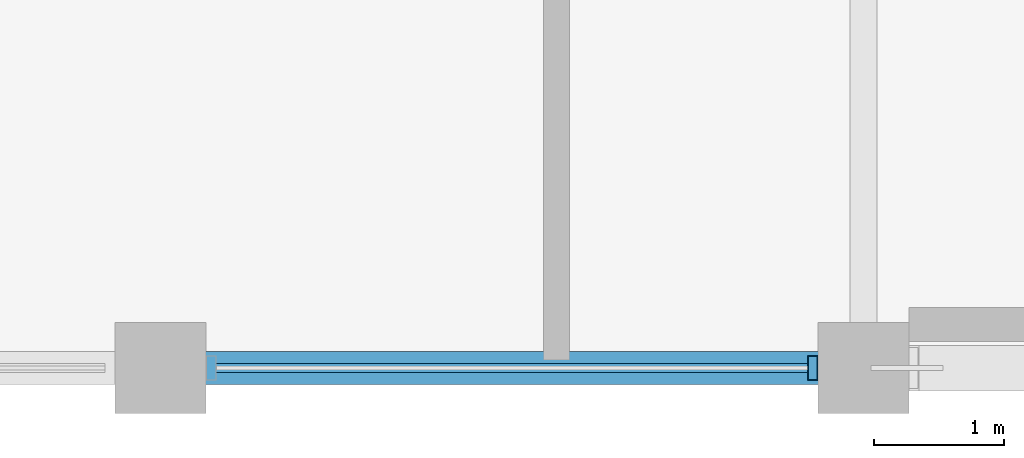
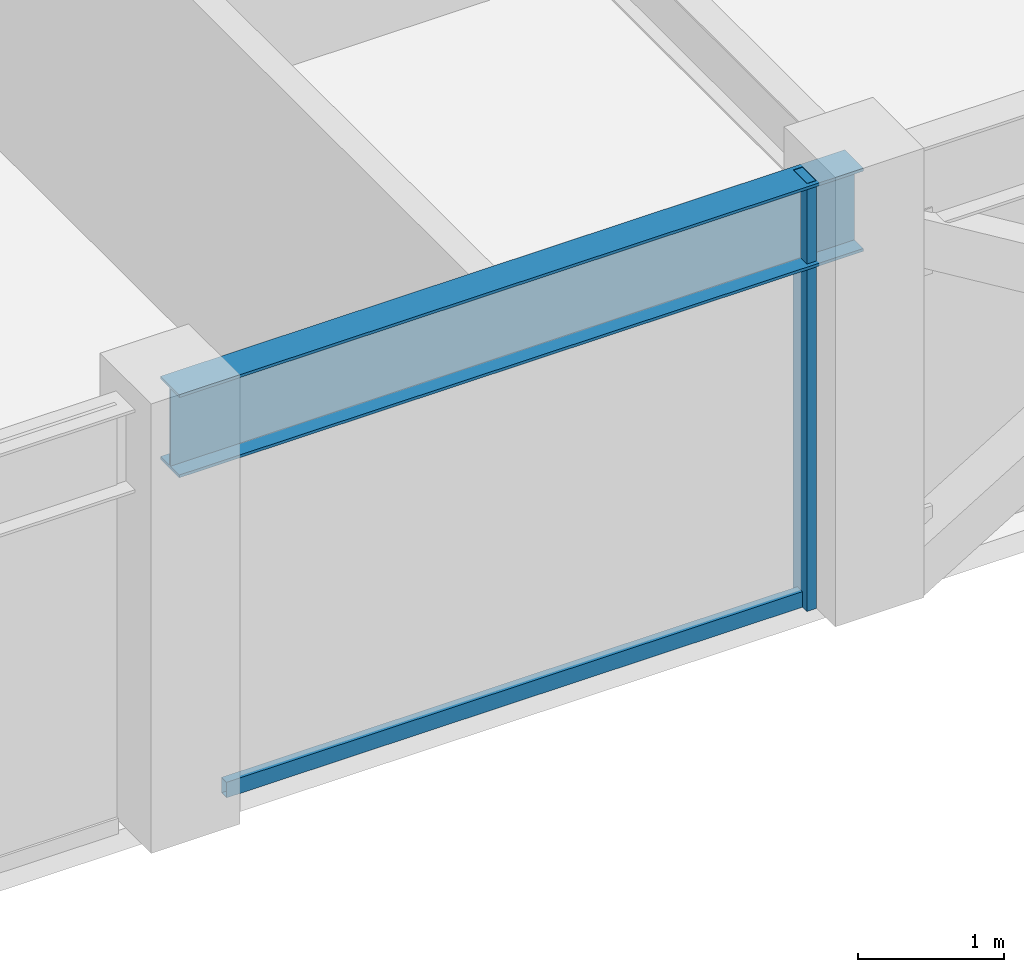
# One storey, part 3 of 31: 2 members, 1 beam, 1 element without a shape of its own.
"""IFC4 building model written with IfcOpenShell, lengths in metres."""

from ifc_helpers import new_model, si_unit, direction, frame, origin, origin_2d, place, context, subcontext, project, spatial, hollow_rectangle, i_section, extrude, material, layer, layer_set, material_profile, profile_set, type_object, element, aggregate, save


model = new_model("IFC4")

# Units and contexts
model_context = context("Model", 3, precision=1e-05, world=origin(), true_north=direction((0.0, 1.0)))
body_context = subcontext(model_context, "Body", "Model", "MODEL_VIEW")
ifc_project = project(units=[si_unit("LENGTHUNIT", "METRE"), si_unit("AREAUNIT", "SQUARE_METRE"), si_unit("VOLUMEUNIT", "CUBIC_METRE"), si_unit("PLANEANGLEUNIT", "RADIAN"), si_unit("MASSUNIT", "GRAM", prefix="KILO")], contexts=[model_context])

# Site, building, storey
site_placement = place(None, origin())
site = spatial("IfcSite", under=ifc_project, at=site_placement, CompositionType="ELEMENT")
building_placement = place(site_placement, origin())
building = spatial("IfcBuilding", under=site, at=building_placement, Name="Surkhivell Harbour Commons", CompositionType="ELEMENT")
storey_placement = place(building_placement, frame((0.0, 0.0, 330.0)))
storey = spatial("IfcBuildingStorey", under=building, at=storey_placement, Name="L86", CompositionType="ELEMENT", Elevation=330.0)

# Beam
ifc_material_1 = material(Name="Steel S355", Category="steel")
ifc_material_profile_1 = material_profile(ifc_material_1, i_section(OverallWidth=0.256103515625, OverallDepth=0.693115234375, WebThickness=0.014404296875, FlangeThickness=0.023681640625, at=origin_2d()), Name="UB686x254x170")
ifc_profile_set_1 = profile_set([ifc_material_profile_1], Name="Steel S355")
beam_type = type_object("IfcBeamType", Name="BM-SPN-686", PredefinedType="SPANDREL", material=ifc_profile_set_1)
beam_placement = place(storey_placement, frame((-16.199951171875, -21.60009765625, 3.223388671875), z_axis=(1.0, 0.0, 0.0), x_axis=(0.0, 1.0, 0.0)))
element("IfcBeam", 1, at=beam_placement, inside=storey, type_object=beam_type, Name="L86 Tube Spandrel (-16.2,-21.6)", PredefinedType="SPANDREL", context=body_context, shape_type="SweptSolid", body=[
    extrude(i_section(OverallWidth=0.256103515625, OverallDepth=0.693115234375, WebThickness=0.014404296875, FlangeThickness=0.023681640625, at=origin_2d()), origin(), (0.0, 0.0, 1.0), 5.39990234375),
])

# Curtain wall, members
ifc_material_2 = material(Name="Anodised pale-metal aluminium and insulated glazing", Category="aluminium")
ifc_layer = layer(ifc_material_2, 0.175048828125)
ifc_layer_set = layer_set([ifc_layer], Name="Anodised pale-metal aluminium and insulated glazing")
curtain_wall_type = type_object("IfcCurtainWallType", Name="CW-SYS-Z4", PredefinedType="NOTDEFINED", material=ifc_layer_set)
curtain_wall_placement = place(storey_placement, origin())
curtain_wall = element("IfcCurtainWall", 2, at=curtain_wall_placement, inside=storey, type_object=curtain_wall_type, Name="L86 Curtain Wall CW-L86-E00S1", PredefinedType="NOTDEFINED")
ifc_material_3 = material(Name="Anodised pale-metal aluminium alloy 6063-T6", Category="aluminium")
ifc_material_profile_2 = material_profile(ifc_material_3, hollow_rectangle(XDim=0.074951171875, YDim=0.18994140625, WallThickness=0.00390625, at=origin_2d()), Name="ALU-MULL-75x190")
ifc_profile_set_2 = profile_set([ifc_material_profile_2], Name="Anodised pale-metal aluminium alloy 6063-T6")
member_type_1 = type_object("IfcMemberType", Name="CWM-190", PredefinedType="MULLION", material=ifc_profile_set_2)
member_1_placement = place(storey_placement, frame((-11.189453125, -21.60009765625, 0.0), z_axis=(0.0, 0.0, 1.0), x_axis=(1.0, 0.0, 0.0)))
member_1 = element("IfcMember", 3, at=member_1_placement, type_object=member_type_1, Name="CW-Z4 mullion 3", PredefinedType="MULLION", context=body_context, shape_type="SweptSolid", body=[
    extrude(hollow_rectangle(XDim=0.074951171875, YDim=0.18994140625, WallThickness=0.00390625, at=origin_2d()), origin(), (0.0, 0.0, 1.0), 3.570068359375),
])
ifc_material_4 = material(Name="Champagne anodised aluminium alloy 6063-T6", Category="aluminium")
ifc_material_profile_3 = material_profile(ifc_material_4, hollow_rectangle(XDim=0.070068359375, YDim=0.1298828125, WallThickness=0.00341796875, at=origin_2d()), Name="ALU-TRAN-70x130")
ifc_profile_set_3 = profile_set([ifc_material_profile_3], Name="Champagne anodised aluminium alloy 6063-T6")
member_type_2 = type_object("IfcMemberType", Name="CWT-130", PredefinedType="USERDEFINED", material=ifc_profile_set_3)
member_2_placement = place(storey_placement, frame((-15.77294921875, -21.60009765625, 0.06494140625), z_axis=(1.0, 0.0, 0.0), x_axis=(0.0, 1.0, 0.0)))
member_2 = element("IfcMember", 4, at=member_2_placement, type_object=member_type_2, Name="CW-Z4 transom 2.1", ObjectType="TRANSOM", PredefinedType="USERDEFINED", context=body_context, shape_type="SweptSolid", body=[
    extrude(hollow_rectangle(XDim=0.070068359375, YDim=0.1298828125, WallThickness=0.00341796875, at=origin_2d()), origin(), (0.0, 0.0, 1.0), 4.5458984375),
])
aggregate(curtain_wall, [member_1, member_2])

save(model, "model.ifc")
